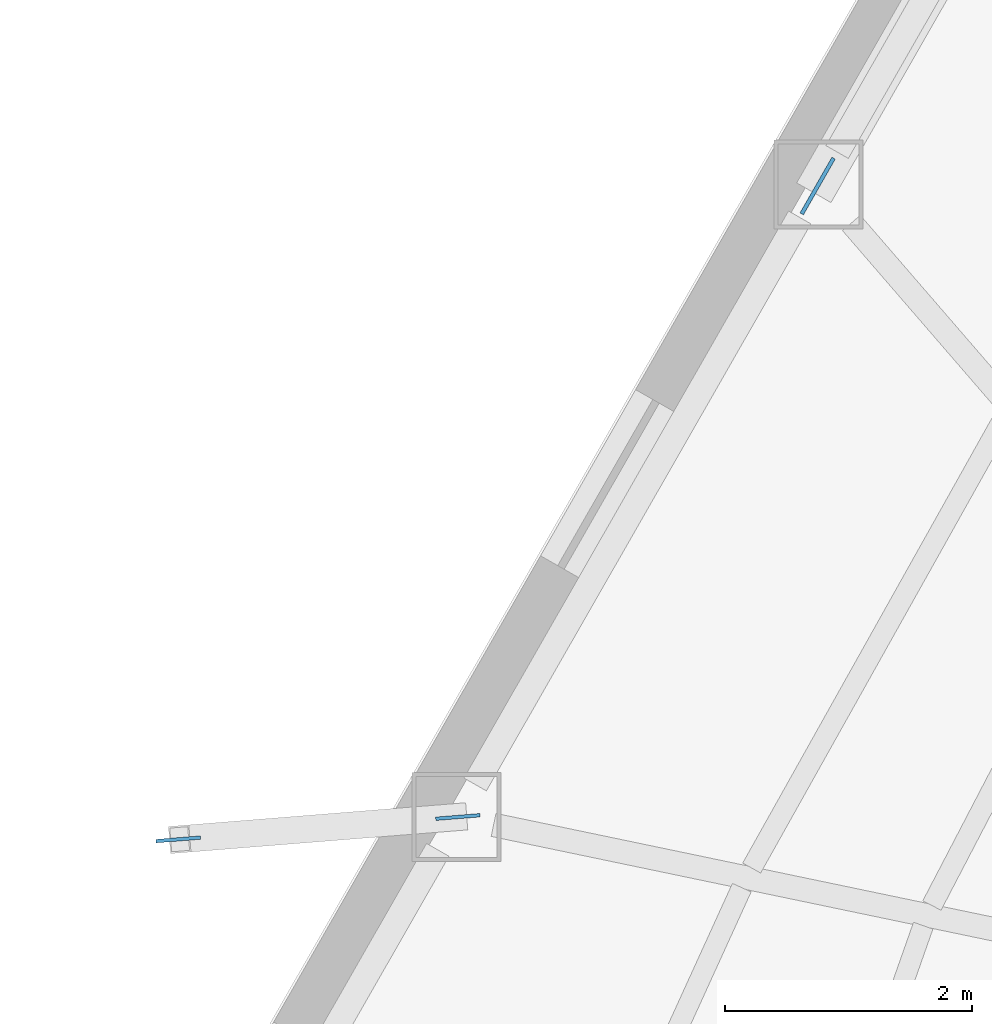
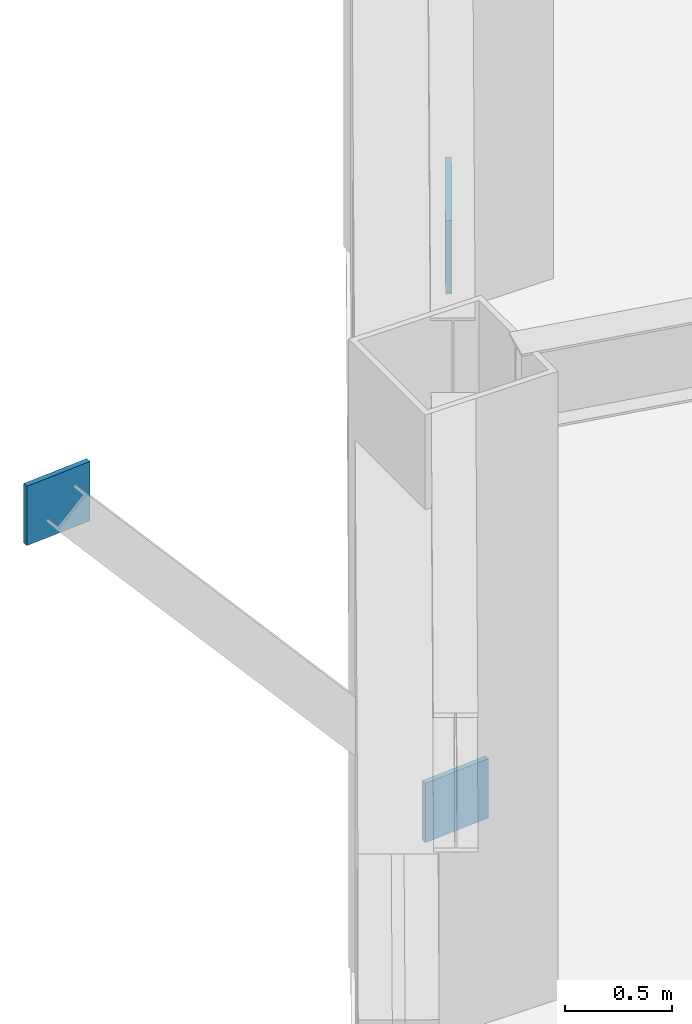
# One storey, part 6 of 13: 3 plates.
"""IFC4 building model written with IfcOpenShell, lengths in metres."""

from ifc_helpers import new_model, si_unit, direction, frame, origin, origin_2d, place, context, subcontext, project, spatial, rectangle, extrude, material, layer, layer_set, type_object, element, save


model = new_model("IFC4")

# Units and contexts
model_context = context("Model", 3, precision=1e-05, world=origin(), true_north=direction((0.0, 1.0)))
body_context = subcontext(model_context, "Body", "Model", "MODEL_VIEW")
ifc_project = project(units=[si_unit("LENGTHUNIT", "METRE"), si_unit("AREAUNIT", "SQUARE_METRE"), si_unit("VOLUMEUNIT", "CUBIC_METRE"), si_unit("PLANEANGLEUNIT", "RADIAN"), si_unit("MASSUNIT", "GRAM", prefix="KILO")], contexts=[model_context])

# Site, building, storey
site_placement = place(None, origin())
site = spatial("IfcSite", under=ifc_project, at=site_placement, CompositionType="ELEMENT")
building_placement = place(site_placement, origin())
building = spatial("IfcBuilding", under=site, at=building_placement, Name="Kavelnor Concourse Tower", CompositionType="ELEMENT")
storey_placement = place(building_placement, frame((0.0, 0.0, 116.300048828125)))
storey = spatial("IfcBuildingStorey", under=building, at=storey_placement, Name="L29", CompositionType="ELEMENT", Elevation=116.300048828125)

# Plates
ifc_material = material(Name="Steel Grade 350", Category="steel")
ifc_layer_1 = layer(ifc_material, 0.028076171875, Name="Steel Grade 350")
ifc_layer_set_1 = layer_set([ifc_layer_1], Name="Steel Grade 350")
plate_type_1 = type_object("IfcPlateType", Name="PL-GUSSET-FOLD", PredefinedType="USERDEFINED", material=ifc_layer_set_1)
for number, where, z_axis, x_axis, name in (
    (1, (20.42333984375, 23.572265625, 0.8798828125), (0.0, 0.0, 1.0), (-0.996820733877, -0.079677001159, 0.0), "L29 Balcony Strut Gusset GP4 1-A End Gusset A"),
    (2, (18.158935546875, 23.391357421875, 3.48486328125), (0.0, 0.0, 1.0), (-0.996820733877, -0.079677001159, 0.0), "L29 Balcony Strut Gusset GP4 1-A End Gusset B"),
):
    element("IfcPlate", number, at=place(storey_placement, frame(where, z_axis=z_axis, x_axis=x_axis)), inside=storey, type_object=plate_type_1, Name=name, ObjectType="GUSSET_PLATE", PredefinedType="USERDEFINED", context=body_context, shape_type="SweptSolid", body=[
        extrude(rectangle(XDim=0.360107421875, YDim=0.028076171875, at=origin_2d()), origin(), (0.0, 0.0, 1.0), 0.340087890625),
    ])
ifc_layer_2 = layer(ifc_material, 0.031982421875, Name="Steel Grade 350")
ifc_layer_set_2 = layer_set([ifc_layer_2], Name="Steel Grade 350")
plate_type_2 = type_object("IfcPlateType", Name="PL-GUSSET-TUBE-Z1", PredefinedType="USERDEFINED", material=ifc_layer_set_2)
plate_placement = place(storey_placement, frame((23.33544921875, 28.680419921875, 0.010009765625), z_axis=(0.0, 0.0, 1.0), x_axis=(0.496822499816, 0.867852178471, 0.0)))
element("IfcPlate", 3, at=plate_placement, inside=storey, type_object=plate_type_2, Name="L29 Tube Brace Gusset GP3 F0-B2 End Gusset A", ObjectType="GUSSET_PLATE", PredefinedType="USERDEFINED", context=body_context, shape_type="SweptSolid", body=[
    extrude(rectangle(XDim=0.52001953125, YDim=0.031982421875, at=origin_2d()), origin(), (0.0, 0.0, 1.0), 0.419921875),
])

save(model, "model.ifc")
